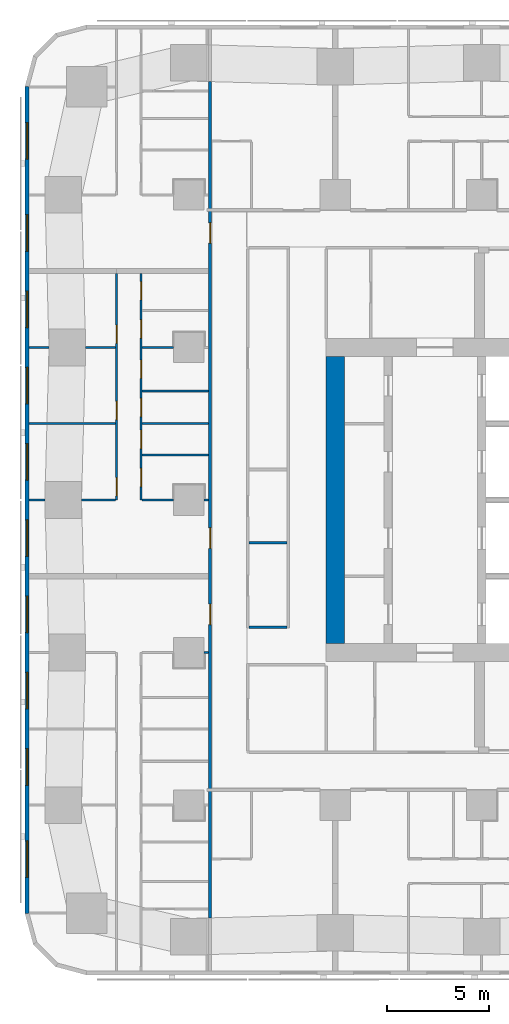
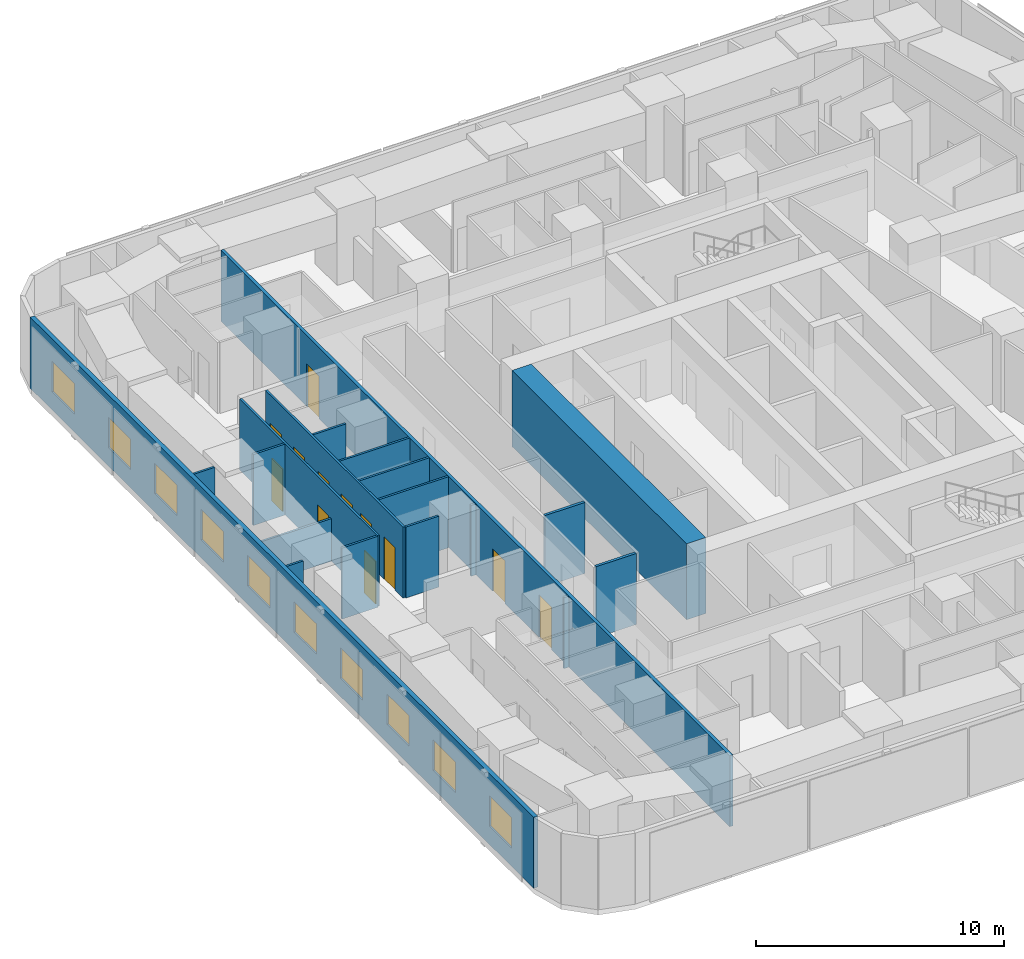
# One storey, part 4 of 15: 19 walls, 12 doors, 10 windows, 22 openings.
"""IFC4 building model written with IfcOpenShell, lengths in metres."""

from ifc_helpers import new_model, si_unit, direction, frame, frame_2d, origin, place, context, subcontext, project, spatial, rectangle, extrude, material, layer, layer_set, type_object, element, fill, save


model = new_model("IFC4")

# Units and contexts
model_context = context("Model", 3, precision=1e-05, world=origin(), true_north=direction((0.0, 1.0)))
body_context = subcontext(model_context, "Body", "Model", "MODEL_VIEW")
ifc_project = project(units=[si_unit("LENGTHUNIT", "METRE"), si_unit("AREAUNIT", "SQUARE_METRE"), si_unit("VOLUMEUNIT", "CUBIC_METRE"), si_unit("PLANEANGLEUNIT", "RADIAN"), si_unit("MASSUNIT", "GRAM", prefix="KILO")], contexts=[model_context])

# Site, building, storey
site_placement = place(None, origin())
site = spatial("IfcSite", under=ifc_project, at=site_placement, CompositionType="ELEMENT")
building_placement = place(site_placement, origin())
building = spatial("IfcBuilding", under=site, at=building_placement, Name="Sheger Commons Tower", CompositionType="ELEMENT")
storey_placement = place(building_placement, frame((0.0, 0.0, 147.050048828125)))
storey = spatial("IfcBuildingStorey", under=building, at=storey_placement, Name="L37", CompositionType="ELEMENT", Elevation=147.050048828125)

# Wall
ifc_material_1 = material(Name="Concrete C50/60", Category="concrete")
ifc_layer_1 = layer(ifc_material_1, 0.89990234375)
ifc_layer_set_1 = layer_set([ifc_layer_1], Name="CORE WALL 900")
wall_type_1 = type_object("IfcWallType", Name="CORE WALL 900", PredefinedType="SHEAR", material=ifc_layer_set_1)
wall_1_placement = place(storey_placement, frame((14.39990234375, 15.449951171875, 0.0), z_axis=(0.0, 0.0, 1.0), x_axis=(0.0, 1.0, 0.0)))
element("IfcWall", 1, at=wall_1_placement, inside=storey, type_object=wall_type_1, Name="Core wall west L37", PredefinedType="SHEAR", context=body_context, shape_type="SweptSolid", body=[
    extrude(rectangle(XDim=14.10009765625, YDim=0.89990234375, at=frame_2d((7.050048828125, 0.0))), origin(), (0.0, 0.0, 1.0), 3.75),
])

# Wall, openings, doors
ifc_material_2 = material(Name="Hollow concrete block masonry, skimmed both sides", Category="masonry")
ifc_layer_2 = layer(ifc_material_2, 0.14990234375)
ifc_layer_set_2 = layer_set([ifc_layer_2], Name="CORRIDOR WALL 150")
wall_type_2 = type_object("IfcWallType", Name="CORRIDOR WALL 150", PredefinedType="SOLIDWALL", material=ifc_layer_set_2)
wall_2_placement = place(storey_placement, frame((8.25, 1.95703125, 0.0), z_axis=(0.0, 0.0, 1.0), x_axis=(0.0, 1.0, 0.0)))
wall_2 = element("IfcWall", 2, at=wall_2_placement, inside=storey, type_object=wall_type_2, Name="Corridor wall L37", PredefinedType="SOLIDWALL", context=body_context, shape_type="SweptSolid", body=[
    extrude(rectangle(XDim=41.111083984375, YDim=0.14990234375, at=frame_2d((20.5556640625, 0.0))), origin(), (0.0, 0.0, 1.0), 3.5),
])
opening_1_placement = place(wall_2_placement, frame((14.41796875, 0.0, 0.0)))
opening_1 = element("IfcOpeningElement", 3, at=opening_1_placement, cuts=wall_2, Name="Opening D1", PredefinedType="OPENING", context=body_context, shape_type="SweptSolid", body=[
    extrude(rectangle(XDim=1.0, YDim=2.10009765625, at=frame_2d((0.5, 1.050048828125))), frame((0.0, 0.0849609375, 0.0), z_axis=(0.0, -1.0, 0.0), x_axis=(1.0, 0.0, 0.0)), (0.0, 0.0, 1.0), 0.169921875),
])
opening_2_placement = place(wall_2_placement, frame((18.16796875, 0.0, 0.0)))
opening_2 = element("IfcOpeningElement", 4, at=opening_2_placement, cuts=wall_2, Name="Opening D1", PredefinedType="OPENING", context=body_context, shape_type="SweptSolid", body=[
    extrude(rectangle(XDim=1.0, YDim=2.10009765625, at=frame_2d((0.5, 1.050048828125))), frame((0.0, 0.0849609375, 0.0), z_axis=(0.0, -1.0, 0.0), x_axis=(1.0, 0.0, 0.0)), (0.0, 0.0, 1.0), 0.169921875),
])
opening_3_placement = place(wall_2_placement, frame((33.16796875, 0.0, 0.0)))
opening_3 = element("IfcOpeningElement", 5, at=opening_3_placement, cuts=wall_2, Name="Opening D1", PredefinedType="OPENING", context=body_context, shape_type="SweptSolid", body=[
    extrude(rectangle(XDim=1.0, YDim=2.10009765625, at=frame_2d((0.5, 1.050048828125))), frame((0.0, 0.0849609375, 0.0), z_axis=(0.0, -1.0, 0.0), x_axis=(1.0, 0.0, 0.0)), (0.0, 0.0, 1.0), 0.169921875),
])
ifc_material_3 = material(Name="Steel door set, fire rated", Category="steel")
door_type_1 = type_object("IfcDoorType", Name="FLAT ENTRANCE DOOR 1000x2100", OperationType="NOTDEFINED", PredefinedType="DOOR", material=ifc_material_3)
door_1_placement = place(opening_1_placement, origin())
door_1 = element("IfcDoor", 6, at=door_1_placement, inside=storey, type_object=door_type_1, Name="Flat entrance door", OperationType="SINGLE_SWING_RIGHT", OverallHeight=2.10009765625, OverallWidth=1.0, PredefinedType="DOOR", context=body_context, shape_type="SweptSolid", body=[
    extrude(rectangle(XDim=1.0, YDim=2.10009765625, at=frame_2d((0.5, 1.050048828125))), frame((0.0, 0.02490234375, 0.0), z_axis=(0.0, -1.0, 0.0), x_axis=(1.0, 0.0, 0.0)), (0.0, 0.0, 1.0), 0.050048828125),
])
fill(opening_1, door_1)
door_2_placement = place(opening_2_placement, origin())
door_2 = element("IfcDoor", 7, at=door_2_placement, inside=storey, type_object=door_type_1, Name="Flat entrance door", OperationType="SINGLE_SWING_LEFT", OverallHeight=2.10009765625, OverallWidth=1.0, PredefinedType="DOOR", context=body_context, shape_type="SweptSolid", body=[
    extrude(rectangle(XDim=1.0, YDim=2.10009765625, at=frame_2d((0.5, 1.050048828125))), frame((0.0, 0.02490234375, 0.0), z_axis=(0.0, -1.0, 0.0), x_axis=(1.0, 0.0, 0.0)), (0.0, 0.0, 1.0), 0.050048828125),
])
fill(opening_2, door_2)
door_3_placement = place(opening_3_placement, origin())
door_3 = element("IfcDoor", 8, at=door_3_placement, inside=storey, type_object=door_type_1, Name="Flat entrance door", OperationType="SINGLE_SWING_RIGHT", OverallHeight=2.10009765625, OverallWidth=1.0, PredefinedType="DOOR", context=body_context, shape_type="SweptSolid", body=[
    extrude(rectangle(XDim=1.0, YDim=2.10009765625, at=frame_2d((0.5, 1.050048828125))), frame((0.0, 0.02490234375, 0.0), z_axis=(0.0, -1.0, 0.0), x_axis=(1.0, 0.0, 0.0)), (0.0, 0.0, 1.0), 0.050048828125),
])
fill(opening_3, door_3)

# Wall, openings, windows
ifc_material_4 = material(Name="Rendered concrete block masonry, dark grey", Category="masonry")
ifc_layer_3 = layer(ifc_material_4, 0.199951171875)
ifc_layer_set_3 = layer_set([ifc_layer_3], Name="FACADE WALL 200")
wall_type_3 = type_object("IfcWallType", Name="FACADE WALL 200", PredefinedType="SOLIDWALL", material=ifc_layer_set_3)
wall_3_placement = place(storey_placement, frame((-0.75, 42.8369140625, 0.0), z_axis=(0.0, 0.0, 1.0), x_axis=(0.0, -1.0, 0.0)))
wall_3 = element("IfcWall", 9, at=wall_3_placement, inside=storey, type_object=wall_type_3, Name="Facade wall L37", PredefinedType="SOLIDWALL", context=body_context, shape_type="SweptSolid", body=[
    extrude(rectangle(XDim=40.673828125, YDim=0.199951171875, at=frame_2d((20.3369140625, 0.0))), origin(), (0.0, 0.0, 1.0), 3.5),
])
opening_4_placement = place(wall_3_placement, frame((1.780029296875, 0.0, 0.89990234375)))
opening_4 = element("IfcOpeningElement", 10, at=opening_4_placement, cuts=wall_3, Name="Opening W2", PredefinedType="OPENING", context=body_context, shape_type="SweptSolid", body=[
    extrude(rectangle(XDim=1.800048828125, YDim=1.5, at=frame_2d((0.89990234375, 0.75))), frame((0.0, 0.10986328125, 0.0), z_axis=(0.0, -1.0, 0.0), x_axis=(1.0, 0.0, 0.0)), (0.0, 0.0, 1.0), 0.219970703125),
])
opening_5_placement = place(wall_3_placement, frame((6.31201171875, 0.0, 0.89990234375)))
opening_5 = element("IfcOpeningElement", 11, at=opening_5_placement, cuts=wall_3, Name="Opening W2", PredefinedType="OPENING", context=body_context, shape_type="SweptSolid", body=[
    extrude(rectangle(XDim=1.800048828125, YDim=1.5, at=frame_2d((0.89990234375, 0.75))), frame((0.0, 0.10986328125, 0.0), z_axis=(0.0, -1.0, 0.0), x_axis=(1.0, 0.0, 0.0)), (0.0, 0.0, 1.0), 0.219970703125),
])
opening_6_placement = place(wall_3_placement, frame((10.06201171875, 0.0, 0.89990234375)))
opening_6 = element("IfcOpeningElement", 12, at=opening_6_placement, cuts=wall_3, Name="Opening W2", PredefinedType="OPENING", context=body_context, shape_type="SweptSolid", body=[
    extrude(rectangle(XDim=1.800048828125, YDim=1.5, at=frame_2d((0.89990234375, 0.75))), frame((0.0, 0.10986328125, 0.0), z_axis=(0.0, -1.0, 0.0), x_axis=(1.0, 0.0, 0.0)), (0.0, 0.0, 1.0), 0.219970703125),
])
opening_7_placement = place(wall_3_placement, frame((13.81201171875, 0.0, 0.89990234375)))
opening_7 = element("IfcOpeningElement", 13, at=opening_7_placement, cuts=wall_3, Name="Opening W2", PredefinedType="OPENING", context=body_context, shape_type="SweptSolid", body=[
    extrude(rectangle(XDim=1.800048828125, YDim=1.5, at=frame_2d((0.89990234375, 0.75))), frame((0.0, 0.10986328125, 0.0), z_axis=(0.0, -1.0, 0.0), x_axis=(1.0, 0.0, 0.0)), (0.0, 0.0, 1.0), 0.219970703125),
])
opening_8_placement = place(wall_3_placement, frame((17.56201171875, 0.0, 0.89990234375)))
opening_8 = element("IfcOpeningElement", 14, at=opening_8_placement, cuts=wall_3, Name="Opening W2", PredefinedType="OPENING", context=body_context, shape_type="SweptSolid", body=[
    extrude(rectangle(XDim=1.800048828125, YDim=1.5, at=frame_2d((0.89990234375, 0.75))), frame((0.0, 0.10986328125, 0.0), z_axis=(0.0, -1.0, 0.0), x_axis=(1.0, 0.0, 0.0)), (0.0, 0.0, 1.0), 0.219970703125),
])
opening_9_placement = place(wall_3_placement, frame((21.31201171875, 0.0, 0.89990234375)))
opening_9 = element("IfcOpeningElement", 15, at=opening_9_placement, cuts=wall_3, Name="Opening W2", PredefinedType="OPENING", context=body_context, shape_type="SweptSolid", body=[
    extrude(rectangle(XDim=1.800048828125, YDim=1.5, at=frame_2d((0.89990234375, 0.75))), frame((0.0, 0.10986328125, 0.0), z_axis=(0.0, -1.0, 0.0), x_axis=(1.0, 0.0, 0.0)), (0.0, 0.0, 1.0), 0.219970703125),
])
opening_10_placement = place(wall_3_placement, frame((25.06201171875, 0.0, 0.89990234375)))
opening_10 = element("IfcOpeningElement", 16, at=opening_10_placement, cuts=wall_3, Name="Opening W2", PredefinedType="OPENING", context=body_context, shape_type="SweptSolid", body=[
    extrude(rectangle(XDim=1.800048828125, YDim=1.5, at=frame_2d((0.89990234375, 0.75))), frame((0.0, 0.10986328125, 0.0), z_axis=(0.0, -1.0, 0.0), x_axis=(1.0, 0.0, 0.0)), (0.0, 0.0, 1.0), 0.219970703125),
])
opening_11_placement = place(wall_3_placement, frame((28.81201171875, 0.0, 0.89990234375)))
opening_11 = element("IfcOpeningElement", 17, at=opening_11_placement, cuts=wall_3, Name="Opening W2", PredefinedType="OPENING", context=body_context, shape_type="SweptSolid", body=[
    extrude(rectangle(XDim=1.800048828125, YDim=1.5, at=frame_2d((0.89990234375, 0.75))), frame((0.0, 0.10986328125, 0.0), z_axis=(0.0, -1.0, 0.0), x_axis=(1.0, 0.0, 0.0)), (0.0, 0.0, 1.0), 0.219970703125),
])
opening_12_placement = place(wall_3_placement, frame((32.56201171875, 0.0, 0.89990234375)))
opening_12 = element("IfcOpeningElement", 18, at=opening_12_placement, cuts=wall_3, Name="Opening W2", PredefinedType="OPENING", context=body_context, shape_type="SweptSolid", body=[
    extrude(rectangle(XDim=1.800048828125, YDim=1.5, at=frame_2d((0.89990234375, 0.75))), frame((0.0, 0.10986328125, 0.0), z_axis=(0.0, -1.0, 0.0), x_axis=(1.0, 0.0, 0.0)), (0.0, 0.0, 1.0), 0.219970703125),
])
opening_13_placement = place(wall_3_placement, frame((37.093994140625, 0.0, 0.89990234375)))
opening_13 = element("IfcOpeningElement", 19, at=opening_13_placement, cuts=wall_3, Name="Opening W2", PredefinedType="OPENING", context=body_context, shape_type="SweptSolid", body=[
    extrude(rectangle(XDim=1.800048828125, YDim=1.5, at=frame_2d((0.89990234375, 0.75))), frame((0.0, 0.10986328125, 0.0), z_axis=(0.0, -1.0, 0.0), x_axis=(1.0, 0.0, 0.0)), (0.0, 0.0, 1.0), 0.219970703125),
])
ifc_material_5 = material(Name="Black aluminium frame, dark tinted double glazing", Category="aluminium")
window_type = type_object("IfcWindowType", Name="WINDOW W2 1800x1500", PartitioningType="SINGLE_PANEL", PredefinedType="WINDOW", material=ifc_material_5)
window_1_placement = place(opening_4_placement, origin())
window_1 = element("IfcWindow", 20, at=window_1_placement, inside=storey, type_object=window_type, Name="Window W2 1800X1500", OverallHeight=1.5, OverallWidth=1.800048828125, PartitioningType="SINGLE_PANEL", PredefinedType="WINDOW", context=body_context, shape_type="SweptSolid", body=[
    extrude(rectangle(XDim=1.800048828125, YDim=1.5, at=frame_2d((0.89990234375, 0.75))), frame((0.0, 0.030029296875, 0.0), z_axis=(0.0, -1.0, 0.0), x_axis=(1.0, 0.0, 0.0)), (0.0, 0.0, 1.0), 0.06005859375),
])
fill(opening_4, window_1)
window_2_placement = place(opening_5_placement, origin())
window_2 = element("IfcWindow", 21, at=window_2_placement, inside=storey, type_object=window_type, Name="Window W2 1800X1500", OverallHeight=1.5, OverallWidth=1.800048828125, PartitioningType="SINGLE_PANEL", PredefinedType="WINDOW", context=body_context, shape_type="SweptSolid", body=[
    extrude(rectangle(XDim=1.800048828125, YDim=1.5, at=frame_2d((0.89990234375, 0.75))), frame((0.0, 0.030029296875, 0.0), z_axis=(0.0, -1.0, 0.0), x_axis=(1.0, 0.0, 0.0)), (0.0, 0.0, 1.0), 0.06005859375),
])
fill(opening_5, window_2)
window_3_placement = place(opening_6_placement, origin())
window_3 = element("IfcWindow", 22, at=window_3_placement, inside=storey, type_object=window_type, Name="Window W2 1800X1500", OverallHeight=1.5, OverallWidth=1.800048828125, PartitioningType="SINGLE_PANEL", PredefinedType="WINDOW", context=body_context, shape_type="SweptSolid", body=[
    extrude(rectangle(XDim=1.800048828125, YDim=1.5, at=frame_2d((0.89990234375, 0.75))), frame((0.0, 0.030029296875, 0.0), z_axis=(0.0, -1.0, 0.0), x_axis=(1.0, 0.0, 0.0)), (0.0, 0.0, 1.0), 0.06005859375),
])
fill(opening_6, window_3)
window_4_placement = place(opening_7_placement, origin())
window_4 = element("IfcWindow", 23, at=window_4_placement, inside=storey, type_object=window_type, Name="Window W2 1800X1500", OverallHeight=1.5, OverallWidth=1.800048828125, PartitioningType="SINGLE_PANEL", PredefinedType="WINDOW", context=body_context, shape_type="SweptSolid", body=[
    extrude(rectangle(XDim=1.800048828125, YDim=1.5, at=frame_2d((0.89990234375, 0.75))), frame((0.0, 0.030029296875, 0.0), z_axis=(0.0, -1.0, 0.0), x_axis=(1.0, 0.0, 0.0)), (0.0, 0.0, 1.0), 0.06005859375),
])
fill(opening_7, window_4)
window_5_placement = place(opening_8_placement, origin())
window_5 = element("IfcWindow", 24, at=window_5_placement, inside=storey, type_object=window_type, Name="Window W2 1800X1500", OverallHeight=1.5, OverallWidth=1.800048828125, PartitioningType="SINGLE_PANEL", PredefinedType="WINDOW", context=body_context, shape_type="SweptSolid", body=[
    extrude(rectangle(XDim=1.800048828125, YDim=1.5, at=frame_2d((0.89990234375, 0.75))), frame((0.0, 0.030029296875, 0.0), z_axis=(0.0, -1.0, 0.0), x_axis=(1.0, 0.0, 0.0)), (0.0, 0.0, 1.0), 0.06005859375),
])
fill(opening_8, window_5)
window_6_placement = place(opening_9_placement, origin())
window_6 = element("IfcWindow", 25, at=window_6_placement, inside=storey, type_object=window_type, Name="Window W2 1800X1500", OverallHeight=1.5, OverallWidth=1.800048828125, PartitioningType="SINGLE_PANEL", PredefinedType="WINDOW", context=body_context, shape_type="SweptSolid", body=[
    extrude(rectangle(XDim=1.800048828125, YDim=1.5, at=frame_2d((0.89990234375, 0.75))), frame((0.0, 0.030029296875, 0.0), z_axis=(0.0, -1.0, 0.0), x_axis=(1.0, 0.0, 0.0)), (0.0, 0.0, 1.0), 0.06005859375),
])
fill(opening_9, window_6)
window_7_placement = place(opening_10_placement, origin())
window_7 = element("IfcWindow", 26, at=window_7_placement, inside=storey, type_object=window_type, Name="Window W2 1800X1500", OverallHeight=1.5, OverallWidth=1.800048828125, PartitioningType="SINGLE_PANEL", PredefinedType="WINDOW", context=body_context, shape_type="SweptSolid", body=[
    extrude(rectangle(XDim=1.800048828125, YDim=1.5, at=frame_2d((0.89990234375, 0.75))), frame((0.0, 0.030029296875, 0.0), z_axis=(0.0, -1.0, 0.0), x_axis=(1.0, 0.0, 0.0)), (0.0, 0.0, 1.0), 0.06005859375),
])
fill(opening_10, window_7)
window_8_placement = place(opening_11_placement, origin())
window_8 = element("IfcWindow", 27, at=window_8_placement, inside=storey, type_object=window_type, Name="Window W2 1800X1500", OverallHeight=1.5, OverallWidth=1.800048828125, PartitioningType="SINGLE_PANEL", PredefinedType="WINDOW", context=body_context, shape_type="SweptSolid", body=[
    extrude(rectangle(XDim=1.800048828125, YDim=1.5, at=frame_2d((0.89990234375, 0.75))), frame((0.0, 0.030029296875, 0.0), z_axis=(0.0, -1.0, 0.0), x_axis=(1.0, 0.0, 0.0)), (0.0, 0.0, 1.0), 0.06005859375),
])
fill(opening_11, window_8)
window_9_placement = place(opening_12_placement, origin())
window_9 = element("IfcWindow", 28, at=window_9_placement, inside=storey, type_object=window_type, Name="Window W2 1800X1500", OverallHeight=1.5, OverallWidth=1.800048828125, PartitioningType="SINGLE_PANEL", PredefinedType="WINDOW", context=body_context, shape_type="SweptSolid", body=[
    extrude(rectangle(XDim=1.800048828125, YDim=1.5, at=frame_2d((0.89990234375, 0.75))), frame((0.0, 0.030029296875, 0.0), z_axis=(0.0, -1.0, 0.0), x_axis=(1.0, 0.0, 0.0)), (0.0, 0.0, 1.0), 0.06005859375),
])
fill(opening_12, window_9)
window_10_placement = place(opening_13_placement, origin())
window_10 = element("IfcWindow", 29, at=window_10_placement, inside=storey, type_object=window_type, Name="Window W2 1800X1500", OverallHeight=1.5, OverallWidth=1.800048828125, PartitioningType="SINGLE_PANEL", PredefinedType="WINDOW", context=body_context, shape_type="SweptSolid", body=[
    extrude(rectangle(XDim=1.800048828125, YDim=1.5, at=frame_2d((0.89990234375, 0.75))), frame((0.0, 0.030029296875, 0.0), z_axis=(0.0, -1.0, 0.0), x_axis=(1.0, 0.0, 0.0)), (0.0, 0.0, 1.0), 0.06005859375),
])
fill(opening_13, window_10)

# Wall
ifc_material_6 = material(Name="Gypsum board on steel studs", Category="steel")
ifc_layer_4 = layer(ifc_material_6, 0.10009765625)
ifc_layer_set_4 = layer_set([ifc_layer_4], Name="PARTITION 100")
wall_type_4 = type_object("IfcWallType", Name="PARTITION 100", PredefinedType="PARTITIONING", material=ifc_layer_set_4)
wall_4_placement = place(storey_placement, frame((7.950927734375, 15.0, 0.0), z_axis=(0.0, 0.0, 1.0), x_axis=(1.0, 0.0, 0.0)))
element("IfcWall", 30, at=wall_4_placement, inside=storey, type_object=wall_type_4, Name="Partition L37", PredefinedType="PARTITIONING", context=body_context, shape_type="SweptSolid", body=[
    extrude(rectangle(XDim=0.22412109375, YDim=0.10009765625, at=frame_2d((0.112060546875, 0.0))), origin(), (0.0, 0.0, 1.0), 3.5),
])

# Wall, openings, doors
wall_5_placement = place(storey_placement, frame((3.64990234375, 22.5, 0.0), z_axis=(0.0, 0.0, 1.0), x_axis=(0.0, 1.0, 0.0)))
wall_5 = element("IfcWall", 31, at=wall_5_placement, inside=storey, type_object=wall_type_4, Name="Partition L37", PredefinedType="PARTITIONING", context=body_context, shape_type="SweptSolid", body=[
    extrude(rectangle(XDim=11.125, YDim=0.10009765625, at=frame_2d((5.5625, 0.0))), origin(), (0.0, 0.0, 1.0), 3.5),
])
opening_14_placement = place(wall_5_placement, frame((0.199951171875, 0.0, 0.0)))
opening_14 = element("IfcOpeningElement", 32, at=opening_14_placement, cuts=wall_5, Name="Opening D2", PredefinedType="OPENING", context=body_context, shape_type="SweptSolid", body=[
    extrude(rectangle(XDim=0.89990234375, YDim=2.10009765625, at=frame_2d((0.449951171875, 1.050048828125))), frame((0.0, 0.06005859375, 0.0), z_axis=(0.0, -1.0, 0.0), x_axis=(1.0, 0.0, 0.0)), (0.0, 0.0, 1.0), 0.1201171875),
])
opening_15_placement = place(wall_5_placement, frame((3.949951171875, 0.0, 0.0)))
opening_15 = element("IfcOpeningElement", 33, at=opening_15_placement, cuts=wall_5, Name="Opening D2", PredefinedType="OPENING", context=body_context, shape_type="SweptSolid", body=[
    extrude(rectangle(XDim=0.89990234375, YDim=2.10009765625, at=frame_2d((0.449951171875, 1.050048828125))), frame((0.0, 0.06005859375, 0.0), z_axis=(0.0, -1.0, 0.0), x_axis=(1.0, 0.0, 0.0)), (0.0, 0.0, 1.0), 0.1201171875),
])
opening_16_placement = place(wall_5_placement, frame((7.699951171875, 0.0, 0.0)))
opening_16 = element("IfcOpeningElement", 34, at=opening_16_placement, cuts=wall_5, Name="Opening D2", PredefinedType="OPENING", context=body_context, shape_type="SweptSolid", body=[
    extrude(rectangle(XDim=0.89990234375, YDim=2.10009765625, at=frame_2d((0.449951171875, 1.050048828125))), frame((0.0, 0.06005859375, 0.0), z_axis=(0.0, -1.0, 0.0), x_axis=(1.0, 0.0, 0.0)), (0.0, 0.0, 1.0), 0.1201171875),
])
ifc_material_7 = material(Name="Timber door set", Category="wood")
door_type_2 = type_object("IfcDoorType", Name="INTERNAL DOOR 900x2100", OperationType="NOTDEFINED", PredefinedType="DOOR", material=ifc_material_7)
door_4_placement = place(opening_14_placement, origin())
door_4 = element("IfcDoor", 35, at=door_4_placement, inside=storey, type_object=door_type_2, Name="Main bedroom door", OperationType="SINGLE_SWING_LEFT", OverallHeight=2.10009765625, OverallWidth=0.89990234375, PredefinedType="DOOR", context=body_context, shape_type="SweptSolid", body=[
    extrude(rectangle(XDim=0.89990234375, YDim=2.10009765625, at=frame_2d((0.449951171875, 1.050048828125))), frame((0.0, 0.02490234375, 0.0), z_axis=(0.0, -1.0, 0.0), x_axis=(1.0, 0.0, 0.0)), (0.0, 0.0, 1.0), 0.050048828125),
])
fill(opening_14, door_4)
door_5_placement = place(opening_15_placement, origin())
door_5 = element("IfcDoor", 36, at=door_5_placement, inside=storey, type_object=door_type_2, Name="Bedroom 2 door", OperationType="SINGLE_SWING_LEFT", OverallHeight=2.10009765625, OverallWidth=0.89990234375, PredefinedType="DOOR", context=body_context, shape_type="SweptSolid", body=[
    extrude(rectangle(XDim=0.89990234375, YDim=2.10009765625, at=frame_2d((0.449951171875, 1.050048828125))), frame((0.0, 0.02490234375, 0.0), z_axis=(0.0, -1.0, 0.0), x_axis=(1.0, 0.0, 0.0)), (0.0, 0.0, 1.0), 0.050048828125),
])
fill(opening_15, door_5)
door_6_placement = place(opening_16_placement, origin())
door_6 = element("IfcDoor", 37, at=door_6_placement, inside=storey, type_object=door_type_2, Name="Bedroom 3 door", OperationType="SINGLE_SWING_LEFT", OverallHeight=2.10009765625, OverallWidth=0.89990234375, PredefinedType="DOOR", context=body_context, shape_type="SweptSolid", body=[
    extrude(rectangle(XDim=0.89990234375, YDim=2.10009765625, at=frame_2d((0.449951171875, 1.050048828125))), frame((0.0, 0.02490234375, 0.0), z_axis=(0.0, -1.0, 0.0), x_axis=(1.0, 0.0, 0.0)), (0.0, 0.0, 1.0), 0.050048828125),
])
fill(opening_16, door_6)

wall_6_placement = place(storey_placement, frame((4.85009765625, 22.5, 0.0), z_axis=(0.0, 0.0, 1.0), x_axis=(0.0, 1.0, 0.0)))
wall_6 = element("IfcWall", 38, at=wall_6_placement, inside=storey, type_object=wall_type_4, Name="Partition L37", PredefinedType="PARTITIONING", context=body_context, shape_type="SweptSolid", body=[
    extrude(rectangle(XDim=11.125, YDim=0.10009765625, at=frame_2d((5.5625, 0.0))), origin(), (0.0, 0.0, 1.0), 3.5),
])
opening_17_placement = place(wall_6_placement, frame((0.655029296875, 0.0, 0.0)))
opening_17 = element("IfcOpeningElement", 39, at=opening_17_placement, cuts=wall_6, Name="Opening D2", PredefinedType="OPENING", context=body_context, shape_type="SweptSolid", body=[
    extrude(rectangle(XDim=0.89990234375, YDim=2.10009765625, at=frame_2d((0.449951171875, 1.050048828125))), frame((0.0, 0.06005859375, 0.0), z_axis=(0.0, -1.0, 0.0), x_axis=(1.0, 0.0, 0.0)), (0.0, 0.0, 1.0), 0.1201171875),
])
opening_18_placement = place(wall_6_placement, frame((4.10009765625, 0.0, 0.0)))
opening_18 = element("IfcOpeningElement", 40, at=opening_18_placement, cuts=wall_6, Name="Opening D2", PredefinedType="OPENING", context=body_context, shape_type="SweptSolid", body=[
    extrude(rectangle(XDim=0.89990234375, YDim=2.10009765625, at=frame_2d((0.449951171875, 1.050048828125))), frame((0.0, 0.06005859375, 0.0), z_axis=(0.0, -1.0, 0.0), x_axis=(1.0, 0.0, 0.0)), (0.0, 0.0, 1.0), 0.1201171875),
])
opening_19_placement = place(wall_6_placement, frame((7.9599609375, 0.0, 0.0)))
opening_19 = element("IfcOpeningElement", 41, at=opening_19_placement, cuts=wall_6, Name="Opening D2", PredefinedType="OPENING", context=body_context, shape_type="SweptSolid", body=[
    extrude(rectangle(XDim=0.89990234375, YDim=2.10009765625, at=frame_2d((0.449951171875, 1.050048828125))), frame((0.0, 0.06005859375, 0.0), z_axis=(0.0, -1.0, 0.0), x_axis=(1.0, 0.0, 0.0)), (0.0, 0.0, 1.0), 0.1201171875),
])
opening_20_placement = place(wall_6_placement, frame((2.530029296875, 0.0, 0.0)))
opening_20 = element("IfcOpeningElement", 42, at=opening_20_placement, cuts=wall_6, Name="Opening D2", PredefinedType="OPENING", context=body_context, shape_type="SweptSolid", body=[
    extrude(rectangle(XDim=0.89990234375, YDim=2.10009765625, at=frame_2d((0.449951171875, 1.050048828125))), frame((0.0, 0.06005859375, 0.0), z_axis=(0.0, -1.0, 0.0), x_axis=(1.0, 0.0, 0.0)), (0.0, 0.0, 1.0), 0.1201171875),
])
opening_21_placement = place(wall_6_placement, frame((5.97509765625, 0.0, 0.0)))
opening_21 = element("IfcOpeningElement", 43, at=opening_21_placement, cuts=wall_6, Name="Opening D2", PredefinedType="OPENING", context=body_context, shape_type="SweptSolid", body=[
    extrude(rectangle(XDim=0.89990234375, YDim=2.10009765625, at=frame_2d((0.449951171875, 1.050048828125))), frame((0.0, 0.06005859375, 0.0), z_axis=(0.0, -1.0, 0.0), x_axis=(1.0, 0.0, 0.0)), (0.0, 0.0, 1.0), 0.1201171875),
])
opening_22_placement = place(wall_6_placement, frame((9.8349609375, 0.0, 0.0)))
opening_22 = element("IfcOpeningElement", 44, at=opening_22_placement, cuts=wall_6, Name="Opening D2", PredefinedType="OPENING", context=body_context, shape_type="SweptSolid", body=[
    extrude(rectangle(XDim=0.89990234375, YDim=2.10009765625, at=frame_2d((0.449951171875, 1.050048828125))), frame((0.0, 0.06005859375, 0.0), z_axis=(0.0, -1.0, 0.0), x_axis=(1.0, 0.0, 0.0)), (0.0, 0.0, 1.0), 0.1201171875),
])
door_7_placement = place(opening_17_placement, origin())
door_7 = element("IfcDoor", 45, at=door_7_placement, inside=storey, type_object=door_type_2, Name="Bathroom door", OperationType="SINGLE_SWING_RIGHT", OverallHeight=2.10009765625, OverallWidth=0.89990234375, PredefinedType="DOOR", context=body_context, shape_type="SweptSolid", body=[
    extrude(rectangle(XDim=0.89990234375, YDim=2.10009765625, at=frame_2d((0.449951171875, 1.050048828125))), frame((0.0, 0.02490234375, 0.0), z_axis=(0.0, -1.0, 0.0), x_axis=(1.0, 0.0, 0.0)), (0.0, 0.0, 1.0), 0.050048828125),
])
fill(opening_17, door_7)
door_8_placement = place(opening_18_placement, origin())
door_8 = element("IfcDoor", 46, at=door_8_placement, inside=storey, type_object=door_type_2, Name="Shower room door", OperationType="SINGLE_SWING_RIGHT", OverallHeight=2.10009765625, OverallWidth=0.89990234375, PredefinedType="DOOR", context=body_context, shape_type="SweptSolid", body=[
    extrude(rectangle(XDim=0.89990234375, YDim=2.10009765625, at=frame_2d((0.449951171875, 1.050048828125))), frame((0.0, 0.02490234375, 0.0), z_axis=(0.0, -1.0, 0.0), x_axis=(1.0, 0.0, 0.0)), (0.0, 0.0, 1.0), 0.050048828125),
])
fill(opening_18, door_8)
door_9_placement = place(opening_19_placement, origin())
door_9 = element("IfcDoor", 47, at=door_9_placement, inside=storey, type_object=door_type_2, Name="Laundry room door", OperationType="SINGLE_SWING_RIGHT", OverallHeight=2.10009765625, OverallWidth=0.89990234375, PredefinedType="DOOR", context=body_context, shape_type="SweptSolid", body=[
    extrude(rectangle(XDim=0.89990234375, YDim=2.10009765625, at=frame_2d((0.449951171875, 1.050048828125))), frame((0.0, 0.02490234375, 0.0), z_axis=(0.0, -1.0, 0.0), x_axis=(1.0, 0.0, 0.0)), (0.0, 0.0, 1.0), 0.050048828125),
])
fill(opening_19, door_9)
door_10_placement = place(opening_20_placement, origin())
door_10 = element("IfcDoor", 48, at=door_10_placement, inside=storey, type_object=door_type_2, Name="Store door", OperationType="SINGLE_SWING_LEFT", OverallHeight=2.10009765625, OverallWidth=0.89990234375, PredefinedType="DOOR", context=body_context, shape_type="SweptSolid", body=[
    extrude(rectangle(XDim=0.89990234375, YDim=2.10009765625, at=frame_2d((0.449951171875, 1.050048828125))), frame((0.0, 0.02490234375, 0.0), z_axis=(0.0, -1.0, 0.0), x_axis=(1.0, 0.0, 0.0)), (0.0, 0.0, 1.0), 0.050048828125),
])
fill(opening_20, door_10)
door_11_placement = place(opening_21_placement, origin())
door_11 = element("IfcDoor", 49, at=door_11_placement, inside=storey, type_object=door_type_2, Name="Store door", OperationType="SINGLE_SWING_LEFT", OverallHeight=2.10009765625, OverallWidth=0.89990234375, PredefinedType="DOOR", context=body_context, shape_type="SweptSolid", body=[
    extrude(rectangle(XDim=0.89990234375, YDim=2.10009765625, at=frame_2d((0.449951171875, 1.050048828125))), frame((0.0, 0.02490234375, 0.0), z_axis=(0.0, -1.0, 0.0), x_axis=(1.0, 0.0, 0.0)), (0.0, 0.0, 1.0), 0.050048828125),
])
fill(opening_21, door_11)
door_12_placement = place(opening_22_placement, origin())
door_12 = element("IfcDoor", 50, at=door_12_placement, inside=storey, type_object=door_type_2, Name="Store door", OperationType="SINGLE_SWING_LEFT", OverallHeight=2.10009765625, OverallWidth=0.89990234375, PredefinedType="DOOR", context=body_context, shape_type="SweptSolid", body=[
    extrude(rectangle(XDim=0.89990234375, YDim=2.10009765625, at=frame_2d((0.449951171875, 1.050048828125))), frame((0.0, 0.02490234375, 0.0), z_axis=(0.0, -1.0, 0.0), x_axis=(1.0, 0.0, 0.0)), (0.0, 0.0, 1.0), 0.050048828125),
])
fill(opening_22, door_12)

# Walls
wall_7_placement = place(storey_placement, frame((-0.64990234375, 22.5, 0.0), z_axis=(0.0, 0.0, 1.0), x_axis=(1.0, 0.0, 0.0)))
element("IfcWall", 51, at=wall_7_placement, inside=storey, type_object=wall_type_4, Name="Partition L37", PredefinedType="PARTITIONING", context=body_context, shape_type="SweptSolid", body=[
    extrude(rectangle(XDim=0.77392578125, YDim=0.10009765625, at=frame_2d((0.386962890625, 0.0))), origin(), (0.0, 0.0, 1.0), 3.5),
])
wall_8_placement = place(storey_placement, frame((1.926025390625, 22.5, 0.0), z_axis=(0.0, 0.0, 1.0), x_axis=(1.0, 0.0, 0.0)))
element("IfcWall", 52, at=wall_8_placement, inside=storey, type_object=wall_type_4, Name="Partition L37", PredefinedType="PARTITIONING", context=body_context, shape_type="SweptSolid", body=[
    extrude(rectangle(XDim=1.674072265625, YDim=0.10009765625, at=frame_2d((0.8369140625, 0.0))), origin(), (0.0, 0.0, 1.0), 3.5),
])
wall_9_placement = place(storey_placement, frame((-0.64990234375, 26.25, 0.0), z_axis=(0.0, 0.0, 1.0), x_axis=(1.0, 0.0, 0.0)))
element("IfcWall", 53, at=wall_9_placement, inside=storey, type_object=wall_type_4, Name="Partition L37", PredefinedType="PARTITIONING", context=body_context, shape_type="SweptSolid", body=[
    extrude(rectangle(XDim=4.25, YDim=0.10009765625, at=frame_2d((2.125, 0.0))), origin(), (0.0, 0.0, 1.0), 2.099853515625),
])
wall_10_placement = place(storey_placement, frame((-0.64990234375, 30.0, 0.0), z_axis=(0.0, 0.0, 1.0), x_axis=(1.0, 0.0, 0.0)))
element("IfcWall", 54, at=wall_10_placement, inside=storey, type_object=wall_type_4, Name="Partition L37", PredefinedType="PARTITIONING", context=body_context, shape_type="SweptSolid", body=[
    extrude(rectangle(XDim=0.973876953125, YDim=0.10009765625, at=frame_2d((0.48681640625, 0.0))), origin(), (0.0, 0.0, 1.0), 3.5),
])
wall_11_placement = place(storey_placement, frame((2.1259765625, 30.0, 0.0), z_axis=(0.0, 0.0, 1.0), x_axis=(1.0, 0.0, 0.0)))
element("IfcWall", 55, at=wall_11_placement, inside=storey, type_object=wall_type_4, Name="Partition L37", PredefinedType="PARTITIONING", context=body_context, shape_type="SweptSolid", body=[
    extrude(rectangle(XDim=1.47412109375, YDim=0.10009765625, at=frame_2d((0.737060546875, 0.0))), origin(), (0.0, 0.0, 1.0), 3.5),
])
wall_12_placement = place(storey_placement, frame((4.89990234375, 22.5, 0.0), z_axis=(0.0, 0.0, 1.0), x_axis=(1.0, 0.0, 0.0)))
element("IfcWall", 56, at=wall_12_placement, inside=storey, type_object=wall_type_4, Name="Partition L37", PredefinedType="PARTITIONING", context=body_context, shape_type="SweptSolid", body=[
    extrude(rectangle(XDim=1.549072265625, YDim=0.10009765625, at=frame_2d((0.7744140625, 0.0))), origin(), (0.0, 0.0, 1.0), 3.5),
])
wall_13_placement = place(storey_placement, frame((7.950927734375, 22.5, 0.0), z_axis=(0.0, 0.0, 1.0), x_axis=(1.0, 0.0, 0.0)))
element("IfcWall", 57, at=wall_13_placement, inside=storey, type_object=wall_type_4, Name="Partition L37", PredefinedType="PARTITIONING", context=body_context, shape_type="SweptSolid", body=[
    extrude(rectangle(XDim=0.22412109375, YDim=0.10009765625, at=frame_2d((0.112060546875, 0.0))), origin(), (0.0, 0.0, 1.0), 3.5),
])
wall_14_placement = place(storey_placement, frame((4.89990234375, 26.25, 0.0), z_axis=(0.0, 0.0, 1.0), x_axis=(1.0, 0.0, 0.0)))
element("IfcWall", 58, at=wall_14_placement, inside=storey, type_object=wall_type_4, Name="Partition L37", PredefinedType="PARTITIONING", context=body_context, shape_type="SweptSolid", body=[
    extrude(rectangle(XDim=3.275146484375, YDim=0.10009765625, at=frame_2d((1.6376953125, 0.0))), origin(), (0.0, 0.0, 1.0), 3.5),
])
wall_15_placement = place(storey_placement, frame((4.89990234375, 30.0, 0.0), z_axis=(0.0, 0.0, 1.0), x_axis=(1.0, 0.0, 0.0)))
element("IfcWall", 59, at=wall_15_placement, inside=storey, type_object=wall_type_4, Name="Partition L37", PredefinedType="PARTITIONING", context=body_context, shape_type="SweptSolid", body=[
    extrude(rectangle(XDim=1.549072265625, YDim=0.10009765625, at=frame_2d((0.7744140625, 0.0))), origin(), (0.0, 0.0, 1.0), 3.5),
])
for number, where, z_axis, x_axis, name in (
    (60, (4.89990234375, 24.7099609375, 0.0), (0.0, 0.0, 1.0), (1.0, 0.0, 0.0), "Partition L37"),
    (61, (4.89990234375, 27.85009765625, 0.0), (0.0, 0.0, 1.0), (1.0, 0.0, 0.0), "Partition L37"),
):
    element("IfcWall", number, at=place(storey_placement, frame(where, z_axis=z_axis, x_axis=x_axis)), inside=storey, type_object=wall_type_4, Name=name, PredefinedType="PARTITIONING", context=body_context, shape_type="SweptSolid", body=[
        extrude(rectangle(XDim=3.275146484375, YDim=0.10009765625, at=frame_2d((1.6376953125, 0.0))), origin(), (0.0, 0.0, 1.0), 3.5),
    ])
ifc_material_8 = material(Name="Gypsum board on steel studs, two layers each side, fire rated", Category="steel")
ifc_layer_5 = layer(ifc_material_8, 0.125)
ifc_layer_set_5 = layer_set([ifc_layer_5], Name="SERVICE WALL 125")
wall_type_5 = type_object("IfcWallType", Name="SERVICE WALL 125", PredefinedType="PARTITIONING", material=ifc_layer_set_5)
for number, where, z_axis, x_axis, name in (
    (62, (10.162109375, 20.39990234375, 0.0), (0.0, 0.0, 1.0), (1.0, 0.0, 0.0), "Service room wall L37"),
    (63, (10.162109375, 16.25, 0.0), (0.0, 0.0, 1.0), (1.0, 0.0, 0.0), "Service room wall L37"),
):
    element("IfcWall", number, at=place(storey_placement, frame(where, z_axis=z_axis, x_axis=x_axis)), inside=storey, type_object=wall_type_5, Name=name, PredefinedType="PARTITIONING", context=body_context, shape_type="SweptSolid", body=[
        extrude(rectangle(XDim=1.875, YDim=0.125, at=frame_2d((0.9375, 0.0))), origin(), (0.0, 0.0, 1.0), 3.5),
    ])

save(model, "model.ifc")
